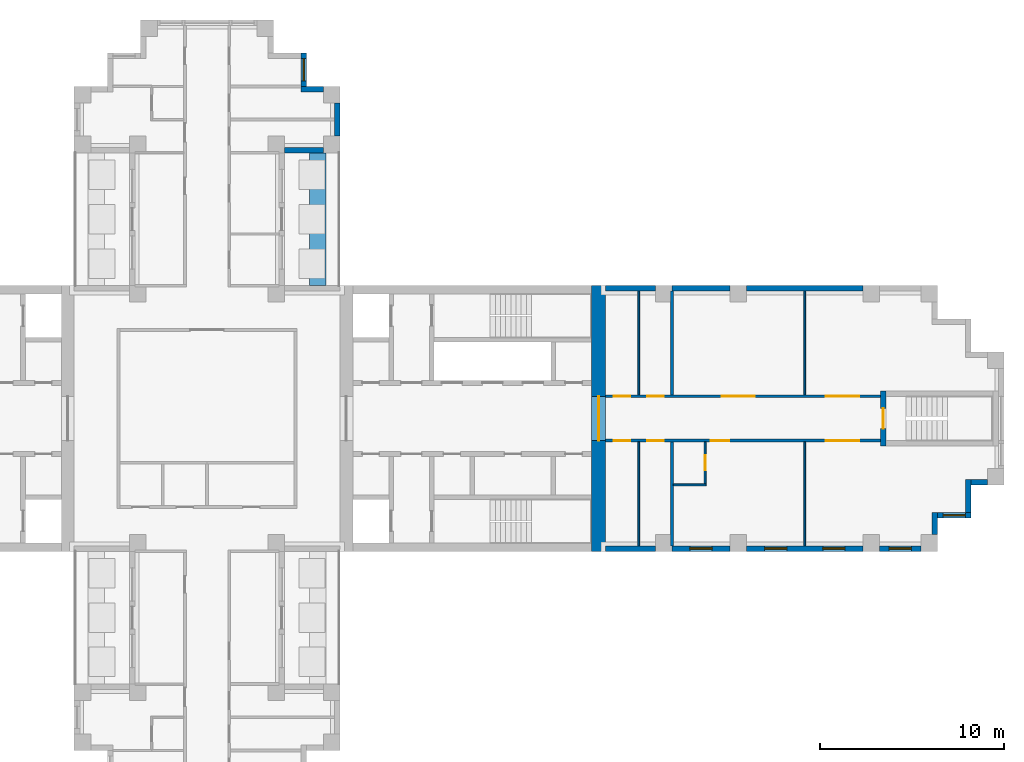
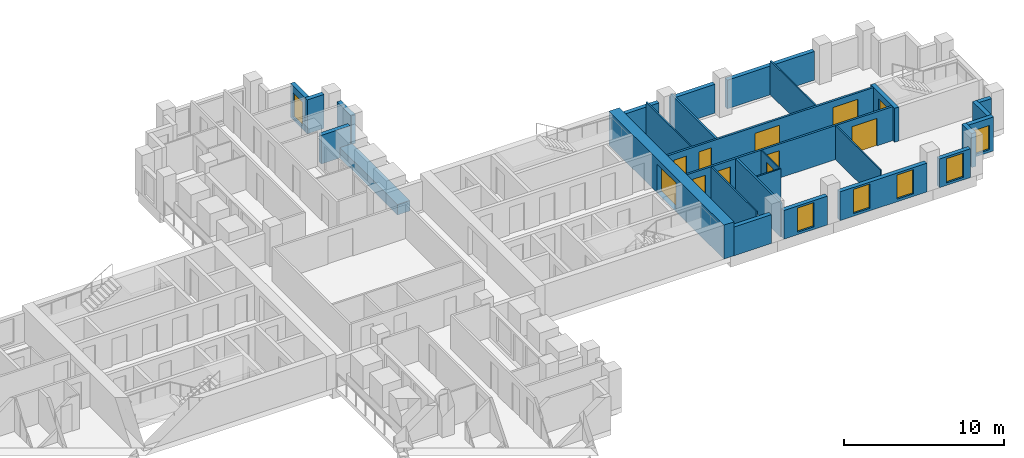
# One storey, part 8 of 11: 28 walls, 11 doors, 6 windows, 17 openings.
"""IFC4 building model written with IfcOpenShell, lengths in metres."""

from ifc_helpers import new_model, si_unit, direction, frame, frame_2d, origin, place, context, subcontext, project, spatial, rectangle, extrude, material, layer, layer_set, type_object, element, fill, save


model = new_model("IFC4")

# Units and contexts
model_context = context("Model", 3, precision=1e-05, world=origin(), true_north=direction((0.0, 1.0)))
body_context = subcontext(model_context, "Body", "Model", "MODEL_VIEW")
ifc_project = project(units=[si_unit("LENGTHUNIT", "METRE"), si_unit("AREAUNIT", "SQUARE_METRE"), si_unit("VOLUMEUNIT", "CUBIC_METRE"), si_unit("PLANEANGLEUNIT", "RADIAN"), si_unit("MASSUNIT", "GRAM", prefix="KILO")], contexts=[model_context])

# Site, building, storey
site_placement = place(None, origin())
site = spatial("IfcSite", under=ifc_project, at=site_placement, CompositionType="ELEMENT")
building_placement = place(site_placement, origin())
building = spatial("IfcBuilding", under=site, at=building_placement, Name="Fustian Cross Tower", CompositionType="ELEMENT")
storey_placement = place(building_placement, frame((0.0, 0.0, 123.300048828125)))
storey = spatial("IfcBuildingStorey", under=building, at=storey_placement, Name="L38", CompositionType="ELEMENT", Elevation=123.300048828125)

# Wall, openings, doors
ifc_material_1 = material(Name="Plasterboard on steel stud", Category="steel")
ifc_layer_1 = layer(ifc_material_1, 0.14990234375)
ifc_layer_set_1 = layer_set([ifc_layer_1], Name="Plasterboard on steel stud")
wall_type_1 = type_object("IfcWallType", Name="COMPARTMENT WALL 150 EI 60", PredefinedType="PARTITIONING", material=ifc_layer_set_1)
wall_1_placement = place(storey_placement, frame((21.60009765625, -1.199951171875, 0.0), z_axis=(0.0, 0.0, 1.0), x_axis=(1.0, 0.0, 0.0)))
wall_1 = element("IfcWall", 1, at=wall_1_placement, inside=storey, type_object=wall_type_1, Name="Partition 49", PredefinedType="PARTITIONING", context=body_context, shape_type="SweptSolid", body=[
    extrude(rectangle(XDim=14.89990234375, YDim=0.14990234375, at=frame_2d((7.449951171875, 0.0))), origin(), (0.0, 0.0, 1.0), 2.599853515625),
])
opening_1_placement = place(wall_1_placement, frame((0.449951171875, 0.0, 0.0)))
opening_1 = element("IfcOpeningElement", 2, at=opening_1_placement, cuts=wall_1, Name="Opening D18009", PredefinedType="OPENING", context=body_context, shape_type="SweptSolid", body=[
    extrude(rectangle(XDim=0.89990234375, YDim=2.10009765625, at=frame_2d((0.449951171875, 1.050048828125))), frame((0.0, 0.0849609375, 0.0), z_axis=(0.0, -1.0, 0.0), x_axis=(1.0, 0.0, 0.0)), (0.0, 0.0, 1.0), 0.169921875),
])
opening_2_placement = place(wall_1_placement, frame((2.25, 0.0, 0.0)))
opening_2 = element("IfcOpeningElement", 3, at=opening_2_placement, cuts=wall_1, Name="Opening D18010", PredefinedType="OPENING", context=body_context, shape_type="SweptSolid", body=[
    extrude(rectangle(XDim=0.89990234375, YDim=2.10009765625, at=frame_2d((0.449951171875, 1.050048828125))), frame((0.0, 0.0849609375, 0.0), z_axis=(0.0, -1.0, 0.0), x_axis=(1.0, 0.0, 0.0)), (0.0, 0.0, 1.0), 0.169921875),
])
opening_3_placement = place(wall_1_placement, frame((5.7099609375, 0.0, 0.0)))
opening_3 = element("IfcOpeningElement", 4, at=opening_3_placement, cuts=wall_1, Name="Opening D18012", PredefinedType="OPENING", context=body_context, shape_type="SweptSolid", body=[
    extrude(rectangle(XDim=1.0, YDim=2.10009765625, at=frame_2d((0.5, 1.050048828125))), frame((0.0, 0.0849609375, 0.0), z_axis=(0.0, -1.0, 0.0), x_axis=(1.0, 0.0, 0.0)), (0.0, 0.0, 1.0), 0.169921875),
])
opening_4_placement = place(wall_1_placement, frame((11.949951171875, 0.0, 0.0)))
opening_4 = element("IfcOpeningElement", 5, at=opening_4_placement, cuts=wall_1, Name="Opening D18013", PredefinedType="OPENING", context=body_context, shape_type="SweptSolid", body=[
    extrude(rectangle(XDim=1.800048828125, YDim=2.10009765625, at=frame_2d((0.89990234375, 1.050048828125))), frame((0.0, 0.0849609375, 0.0), z_axis=(0.0, -1.0, 0.0), x_axis=(1.0, 0.0, 0.0)), (0.0, 0.0, 1.0), 0.169921875),
])
ifc_material_2 = material(Name="Timber fire door set", Category="wood")
door_type_1 = type_object("IfcDoorType", Name="FIRE DOUBLE DOOR 1800 FD30S", OperationType="DOUBLE_DOOR_DOUBLE_SWING", PredefinedType="DOOR", material=ifc_material_2)
door_1_placement = place(opening_4_placement, origin())
door_1 = element("IfcDoor", 6, at=door_1_placement, inside=storey, type_object=door_type_1, Name="Door D18013", OperationType="DOUBLE_DOOR_DOUBLE_SWING", OverallHeight=2.10009765625, OverallWidth=1.800048828125, PredefinedType="DOOR", context=body_context, shape_type="SweptSolid", body=[
    extrude(rectangle(XDim=1.800048828125, YDim=2.10009765625, at=frame_2d((0.89990234375, 1.050048828125))), frame((0.0, 0.02490234375, 0.0), z_axis=(0.0, -1.0, 0.0), x_axis=(1.0, 0.0, 0.0)), (0.0, 0.0, 1.0), 0.050048828125),
])
fill(opening_4, door_1)
ifc_material_3 = material(Name="Timber fire door set", Category="wood")
door_type_2 = type_object("IfcDoorType", Name="FIRE SWING DOOR 1000 FD30S", OperationType="SINGLE_SWING_LEFT", PredefinedType="DOOR", material=ifc_material_3)
door_2_placement = place(opening_3_placement, frame((1.0, 0.0, 0.0), z_axis=(0.0, 0.0, 1.0), x_axis=(-1.0, 0.0, 0.0)))
door_2 = element("IfcDoor", 7, at=door_2_placement, inside=storey, type_object=door_type_2, Name="Door D18012", OperationType="SINGLE_SWING_RIGHT", OverallHeight=2.10009765625, OverallWidth=1.0, PredefinedType="DOOR", context=body_context, shape_type="SweptSolid", body=[
    extrude(rectangle(XDim=1.0, YDim=2.10009765625, at=frame_2d((0.5, 1.050048828125))), frame((0.0, 0.02490234375, 0.0), z_axis=(0.0, -1.0, 0.0), x_axis=(1.0, 0.0, 0.0)), (0.0, 0.0, 1.0), 0.050048828125),
])
fill(opening_3, door_2)
ifc_material_4 = material(Name="Timber fire door set", Category="wood")
door_type_3 = type_object("IfcDoorType", Name="FIRE SWING DOOR 900 FD30S", OperationType="SINGLE_SWING_LEFT", PredefinedType="DOOR", material=ifc_material_4)
door_3_placement = place(opening_1_placement, frame((0.89990234375, 0.0, 0.0), z_axis=(0.0, 0.0, 1.0), x_axis=(-1.0, 0.0, 0.0)))
door_3 = element("IfcDoor", 8, at=door_3_placement, inside=storey, type_object=door_type_3, Name="Door D18009", OperationType="SINGLE_SWING_LEFT", OverallHeight=2.10009765625, OverallWidth=0.89990234375, PredefinedType="DOOR", context=body_context, shape_type="SweptSolid", body=[
    extrude(rectangle(XDim=0.89990234375, YDim=2.10009765625, at=frame_2d((0.449951171875, 1.050048828125))), frame((0.0, 0.02490234375, 0.0), z_axis=(0.0, -1.0, 0.0), x_axis=(1.0, 0.0, 0.0)), (0.0, 0.0, 1.0), 0.050048828125),
])
fill(opening_1, door_3)
door_4_placement = place(opening_2_placement, frame((0.89990234375, 0.0, 0.0), z_axis=(0.0, 0.0, 1.0), x_axis=(-1.0, 0.0, 0.0)))
door_4 = element("IfcDoor", 9, at=door_4_placement, inside=storey, type_object=door_type_3, Name="Door D18010", OperationType="SINGLE_SWING_LEFT", OverallHeight=2.10009765625, OverallWidth=0.89990234375, PredefinedType="DOOR", context=body_context, shape_type="SweptSolid", body=[
    extrude(rectangle(XDim=0.89990234375, YDim=2.10009765625, at=frame_2d((0.449951171875, 1.050048828125))), frame((0.0, 0.02490234375, 0.0), z_axis=(0.0, -1.0, 0.0), x_axis=(1.0, 0.0, 0.0)), (0.0, 0.0, 1.0), 0.050048828125),
])
fill(opening_2, door_4)

wall_2_placement = place(storey_placement, frame((21.60009765625, 1.199951171875, 0.0), z_axis=(0.0, 0.0, 1.0), x_axis=(1.0, 0.0, 0.0)))
wall_2 = element("IfcWall", 10, at=wall_2_placement, inside=storey, type_object=wall_type_1, Name="Partition 50", PredefinedType="PARTITIONING", context=body_context, shape_type="SweptSolid", body=[
    extrude(rectangle(XDim=14.89990234375, YDim=0.14990234375, at=frame_2d((7.449951171875, 0.0))), origin(), (0.0, 0.0, 1.0), 2.599853515625),
])
opening_5_placement = place(wall_2_placement, frame((0.449951171875, 0.0, 0.0)))
opening_5 = element("IfcOpeningElement", 11, at=opening_5_placement, cuts=wall_2, Name="Opening D18005", PredefinedType="OPENING", context=body_context, shape_type="SweptSolid", body=[
    extrude(rectangle(XDim=0.89990234375, YDim=2.10009765625, at=frame_2d((0.449951171875, 1.050048828125))), frame((0.0, 0.0849609375, 0.0), z_axis=(0.0, -1.0, 0.0), x_axis=(1.0, 0.0, 0.0)), (0.0, 0.0, 1.0), 0.169921875),
])
opening_6_placement = place(wall_2_placement, frame((2.25, 0.0, 0.0)))
opening_6 = element("IfcOpeningElement", 12, at=opening_6_placement, cuts=wall_2, Name="Opening D18006", PredefinedType="OPENING", context=body_context, shape_type="SweptSolid", body=[
    extrude(rectangle(XDim=0.89990234375, YDim=2.10009765625, at=frame_2d((0.449951171875, 1.050048828125))), frame((0.0, 0.0849609375, 0.0), z_axis=(0.0, -1.0, 0.0), x_axis=(1.0, 0.0, 0.0)), (0.0, 0.0, 1.0), 0.169921875),
])
opening_7_placement = place(wall_2_placement, frame((6.300048828125, 0.0, 0.0)))
opening_7 = element("IfcOpeningElement", 13, at=opening_7_placement, cuts=wall_2, Name="Opening D18007", PredefinedType="OPENING", context=body_context, shape_type="SweptSolid", body=[
    extrude(rectangle(XDim=1.800048828125, YDim=2.10009765625, at=frame_2d((0.89990234375, 1.050048828125))), frame((0.0, 0.0849609375, 0.0), z_axis=(0.0, -1.0, 0.0), x_axis=(1.0, 0.0, 0.0)), (0.0, 0.0, 1.0), 0.169921875),
])
opening_8_placement = place(wall_2_placement, frame((11.949951171875, 0.0, 0.0)))
opening_8 = element("IfcOpeningElement", 14, at=opening_8_placement, cuts=wall_2, Name="Opening D18008", PredefinedType="OPENING", context=body_context, shape_type="SweptSolid", body=[
    extrude(rectangle(XDim=1.800048828125, YDim=2.10009765625, at=frame_2d((0.89990234375, 1.050048828125))), frame((0.0, 0.0849609375, 0.0), z_axis=(0.0, -1.0, 0.0), x_axis=(1.0, 0.0, 0.0)), (0.0, 0.0, 1.0), 0.169921875),
])
door_5_placement = place(opening_7_placement, frame((1.800048828125, 0.0, 0.0), z_axis=(0.0, 0.0, 1.0), x_axis=(-1.0, 0.0, 0.0)))
door_5 = element("IfcDoor", 15, at=door_5_placement, inside=storey, type_object=door_type_1, Name="Door D18007", OperationType="DOUBLE_DOOR_DOUBLE_SWING", OverallHeight=2.10009765625, OverallWidth=1.800048828125, PredefinedType="DOOR", context=body_context, shape_type="SweptSolid", body=[
    extrude(rectangle(XDim=1.800048828125, YDim=2.10009765625, at=frame_2d((0.89990234375, 1.050048828125))), frame((0.0, 0.02490234375, 0.0), z_axis=(0.0, -1.0, 0.0), x_axis=(1.0, 0.0, 0.0)), (0.0, 0.0, 1.0), 0.050048828125),
])
fill(opening_7, door_5)
door_6_placement = place(opening_8_placement, frame((1.800048828125, 0.0, 0.0), z_axis=(0.0, 0.0, 1.0), x_axis=(-1.0, 0.0, 0.0)))
door_6 = element("IfcDoor", 16, at=door_6_placement, inside=storey, type_object=door_type_1, Name="Door D18008", OperationType="DOUBLE_DOOR_DOUBLE_SWING", OverallHeight=2.10009765625, OverallWidth=1.800048828125, PredefinedType="DOOR", context=body_context, shape_type="SweptSolid", body=[
    extrude(rectangle(XDim=1.800048828125, YDim=2.10009765625, at=frame_2d((0.89990234375, 1.050048828125))), frame((0.0, 0.02490234375, 0.0), z_axis=(0.0, -1.0, 0.0), x_axis=(1.0, 0.0, 0.0)), (0.0, 0.0, 1.0), 0.050048828125),
])
fill(opening_8, door_6)
door_7_placement = place(opening_5_placement, origin())
door_7 = element("IfcDoor", 17, at=door_7_placement, inside=storey, type_object=door_type_3, Name="Door D18005", OperationType="SINGLE_SWING_RIGHT", OverallHeight=2.10009765625, OverallWidth=0.89990234375, PredefinedType="DOOR", context=body_context, shape_type="SweptSolid", body=[
    extrude(rectangle(XDim=0.89990234375, YDim=2.10009765625, at=frame_2d((0.449951171875, 1.050048828125))), frame((0.0, 0.02490234375, 0.0), z_axis=(0.0, -1.0, 0.0), x_axis=(1.0, 0.0, 0.0)), (0.0, 0.0, 1.0), 0.050048828125),
])
fill(opening_5, door_7)
door_8_placement = place(opening_6_placement, origin())
door_8 = element("IfcDoor", 18, at=door_8_placement, inside=storey, type_object=door_type_3, Name="Door D18006", OperationType="SINGLE_SWING_RIGHT", OverallHeight=2.10009765625, OverallWidth=0.89990234375, PredefinedType="DOOR", context=body_context, shape_type="SweptSolid", body=[
    extrude(rectangle(XDim=0.89990234375, YDim=2.10009765625, at=frame_2d((0.449951171875, 1.050048828125))), frame((0.0, 0.02490234375, 0.0), z_axis=(0.0, -1.0, 0.0), x_axis=(1.0, 0.0, 0.0)), (0.0, 0.0, 1.0), 0.050048828125),
])
fill(opening_6, door_8)

# Walls
for number, where, z_axis, x_axis, name in (
    (19, (25.199951171875, -6.89990234375, 0.0), (0.0, 0.0, 1.0), (0.0, 1.0, 0.0), "Partition 53"),
    (20, (25.199951171875, 1.27490234375, 0.0), (0.0, 0.0, 1.0), (0.0, 1.0, 0.0), "Partition 55"),
):
    element("IfcWall", number, at=place(storey_placement, frame(where, z_axis=z_axis, x_axis=x_axis)), inside=storey, type_object=wall_type_1, Name=name, PredefinedType="PARTITIONING", context=body_context, shape_type="SweptSolid", body=[
        extrude(rectangle(XDim=5.625, YDim=0.14990234375, at=frame_2d((2.8125, 0.0))), origin(), (0.0, 0.0, 1.0), 2.599853515625),
    ])

# Wall, opening, door
ifc_material_5 = material(Name="Concrete C60/75", Category="concrete")
ifc_layer_2 = layer(ifc_material_5, 0.75)
ifc_layer_set_2 = layer_set([ifc_layer_2], Name="Concrete C60/75")
wall_type_2 = type_object("IfcWallType", Name="CORE END WALL 750 C60/75", PredefinedType="SHEAR", material=ifc_layer_set_2)
wall_3_placement = place(storey_placement, frame((21.22509765625, -7.199951171875, 0.0), z_axis=(0.0, 0.0, 1.0), x_axis=(0.0, 1.0, 0.0)))
wall_3 = element("IfcWall", 21, at=wall_3_placement, inside=storey, type_object=wall_type_2, Name="Core end wall", PredefinedType="SHEAR", context=body_context, shape_type="SweptSolid", body=[
    extrude(rectangle(XDim=14.39990234375, YDim=0.75, at=frame_2d((7.199951171875, 0.0))), origin(), (0.0, 0.0, 1.0), 2.599853515625),
])
opening_9_placement = place(wall_3_placement, frame((6.0, 0.0, 0.0)))
opening_9 = element("IfcOpeningElement", 22, at=opening_9_placement, cuts=wall_3, Name="Opening CD-16-13", PredefinedType="OPENING", context=body_context, shape_type="SweptSolid", body=[
    extrude(rectangle(XDim=2.39990234375, YDim=2.199951171875, at=frame_2d((1.199951171875, 1.10009765625))), frame((0.0, 0.385009765625, 0.0), z_axis=(0.0, -1.0, 0.0), x_axis=(1.0, 0.0, 0.0)), (0.0, 0.0, 1.0), 0.77001953125),
])
ifc_material_6 = material(Name="Steel", Category="steel")
door_type_4 = type_object("IfcDoorType", Name="FIRE DOOR FD30S DOUBLE 2400X2200", OperationType="DOUBLE_DOOR_DOUBLE_SWING", PredefinedType="DOOR", material=ifc_material_6)
door_9_placement = place(opening_9_placement, origin())
door_9 = element("IfcDoor", 23, at=door_9_placement, inside=storey, type_object=door_type_4, Name="Core door CD-16-13", OperationType="DOUBLE_DOOR_DOUBLE_SWING", OverallHeight=2.199951171875, OverallWidth=2.39990234375, PredefinedType="DOOR", context=body_context, shape_type="SweptSolid", body=[
    extrude(rectangle(XDim=2.39990234375, YDim=2.199951171875, at=frame_2d((1.199951171875, 1.10009765625))), frame((0.0, 0.02490234375, 0.0), z_axis=(0.0, -1.0, 0.0), x_axis=(1.0, 0.0, 0.0)), (0.0, 0.0, 1.0), 0.050048828125),
])
fill(opening_9, door_9)

# Walls
ifc_material_7 = material(Name="Plasterboard on steel stud", Category="steel")
ifc_layer_3 = layer(ifc_material_7, 0.10009765625)
ifc_layer_set_3 = layer_set([ifc_layer_3], Name="Plasterboard on steel stud")
wall_type_3 = type_object("IfcWallType", Name="PARTITION 100 STUD", PredefinedType="PARTITIONING", material=ifc_layer_set_3)
for number, where, z_axis, x_axis, name in (
    (24, (23.39990234375, -6.89990234375, 0.0), (0.0, 0.0, 1.0), (0.0, 1.0, 0.0), "Partition 51"),
    (25, (23.39990234375, 1.27490234375, 0.0), (0.0, 0.0, 1.0), (0.0, 1.0, 0.0), "Partition 52"),
):
    element("IfcWall", number, at=place(storey_placement, frame(where, z_axis=z_axis, x_axis=x_axis)), inside=storey, type_object=wall_type_3, Name=name, PredefinedType="PARTITIONING", context=body_context, shape_type="SweptSolid", body=[
        extrude(rectangle(XDim=5.625, YDim=0.10009765625, at=frame_2d((2.8125, 0.0))), origin(), (0.0, 0.0, 1.0), 2.599853515625),
    ])
wall_4_placement = place(storey_placement, frame((25.27490234375, -3.60009765625, 0.0), z_axis=(0.0, 0.0, 1.0), x_axis=(1.0, 0.0, 0.0)))
element("IfcWall", 26, at=wall_4_placement, inside=storey, type_object=wall_type_3, Name="Partition 54", PredefinedType="PARTITIONING", context=body_context, shape_type="SweptSolid", body=[
    extrude(rectangle(XDim=1.775146484375, YDim=0.10009765625, at=frame_2d((0.8876953125, 0.0))), origin(), (0.0, 0.0, 1.0), 2.599853515625),
])

# Wall, opening, door
wall_5_placement = place(storey_placement, frame((27.0, -3.550048828125, 0.0), z_axis=(0.0, 0.0, 1.0), x_axis=(0.0, 1.0, 0.0)))
wall_5 = element("IfcWall", 27, at=wall_5_placement, inside=storey, type_object=wall_type_3, Name="Partition 56", PredefinedType="PARTITIONING", context=body_context, shape_type="SweptSolid", body=[
    extrude(rectangle(XDim=2.275146484375, YDim=0.10009765625, at=frame_2d((1.1376953125, 0.0))), origin(), (0.0, 0.0, 1.0), 2.599853515625),
])
opening_10_placement = place(wall_5_placement, frame((0.75, 0.0, 0.0)))
opening_10 = element("IfcOpeningElement", 28, at=opening_10_placement, cuts=wall_5, Name="Opening D18011", PredefinedType="OPENING", context=body_context, shape_type="SweptSolid", body=[
    extrude(rectangle(XDim=0.800048828125, YDim=2.10009765625, at=frame_2d((0.39990234375, 1.050048828125))), frame((0.0, 0.06005859375, 0.0), z_axis=(0.0, -1.0, 0.0), x_axis=(1.0, 0.0, 0.0)), (0.0, 0.0, 1.0), 0.1201171875),
])
ifc_material_8 = material(Name="Painted timber", Category="wood")
door_type_5 = type_object("IfcDoorType", Name="SWING DOOR 800", OperationType="SINGLE_SWING_LEFT", PredefinedType="DOOR", material=ifc_material_8)
door_10_placement = place(opening_10_placement, origin())
door_10 = element("IfcDoor", 29, at=door_10_placement, inside=storey, type_object=door_type_5, Name="Door D18011", OperationType="SINGLE_SWING_LEFT", OverallHeight=2.10009765625, OverallWidth=0.800048828125, PredefinedType="DOOR", context=body_context, shape_type="SweptSolid", body=[
    extrude(rectangle(XDim=0.800048828125, YDim=2.10009765625, at=frame_2d((0.39990234375, 1.050048828125))), frame((0.0, 0.02490234375, 0.0), z_axis=(0.0, -1.0, 0.0), x_axis=(1.0, 0.0, 0.0)), (0.0, 0.0, 1.0), 0.050048828125),
])
fill(opening_10, door_10)

# Walls
for number, where, z_axis, x_axis, name in (
    (30, (32.39990234375, -6.89990234375, 0.0), (0.0, 0.0, 1.0), (0.0, 1.0, 0.0), "Partition 57"),
    (31, (32.39990234375, 1.27490234375, 0.0), (0.0, 0.0, 1.0), (0.0, 1.0, 0.0), "Partition 58"),
):
    element("IfcWall", number, at=place(storey_placement, frame(where, z_axis=z_axis, x_axis=x_axis)), inside=storey, type_object=wall_type_3, Name=name, PredefinedType="PARTITIONING", context=body_context, shape_type="SweptSolid", body=[
        extrude(rectangle(XDim=5.625, YDim=0.10009765625, at=frame_2d((2.8125, 0.0))), origin(), (0.0, 0.0, 1.0), 2.599853515625),
    ])
ifc_material_9 = material(Name="Concrete C40/50", Category="concrete")
ifc_layer_4 = layer(ifc_material_9, 0.89990234375)
ifc_layer_set_4 = layer_set([ifc_layer_4], Name="Concrete C40/50")
wall_type_4 = type_object("IfcWallType", Name="PK1 PLANTER 900", PredefinedType="PARAPET", material=ifc_layer_set_4)
wall_6_placement = place(storey_placement, frame((6.0, 7.199951171875, 0.0), z_axis=(0.0, 0.0, 1.0), x_axis=(0.0, 1.0, 0.0)))
element("IfcWall", 32, at=wall_6_placement, inside=storey, type_object=wall_type_4, Name="PLANTER", PredefinedType="PARAPET", context=body_context, shape_type="SweptSolid", body=[
    extrude(rectangle(XDim=7.199951171875, YDim=0.89990234375, at=frame_2d((3.60009765625, 0.0))), origin(), (0.0, 0.0, 1.0), 0.800048828125),
])

# Wall, opening, door
ifc_material_10 = material(Name="Concrete C50/60", Category="concrete")
ifc_layer_5 = layer(ifc_material_10, 0.300048828125)
ifc_layer_set_5 = layer_set([ifc_layer_5], Name="Concrete C50/60")
wall_type_5 = type_object("IfcWallType", Name="STAIR ENCLOSURE WALL 300 C50/60", PredefinedType="SHEAR", material=ifc_layer_set_5)
wall_7_placement = place(storey_placement, frame((36.64990234375, -1.5, 0.0), z_axis=(0.0, 0.0, 1.0), x_axis=(0.0, 1.0, 0.0)))
wall_7 = element("IfcWall", 33, at=wall_7_placement, inside=storey, type_object=wall_type_5, Name="Stair enclosure wall", PredefinedType="SHEAR", context=body_context, shape_type="SweptSolid", body=[
    extrude(rectangle(XDim=3.0, YDim=0.300048828125, at=frame_2d((1.5, 0.0))), origin(), (0.0, 0.0, 1.0), 2.599853515625),
])
opening_11_placement = place(wall_7_placement, frame((0.949951171875, 0.0, 0.0)))
opening_11 = element("IfcOpeningElement", 34, at=opening_11_placement, cuts=wall_7, Name="Opening CD-16-35", PredefinedType="OPENING", context=body_context, shape_type="SweptSolid", body=[
    extrude(rectangle(XDim=1.10009765625, YDim=2.10009765625, at=frame_2d((0.550048828125, 1.050048828125))), frame((0.0, 0.159912109375, 0.0), z_axis=(0.0, -1.0, 0.0), x_axis=(1.0, 0.0, 0.0)), (0.0, 0.0, 1.0), 0.320068359375),
])
ifc_material_11 = material(Name="Steel", Category="steel")
door_type_6 = type_object("IfcDoorType", Name="FIRE DOOR FD60S 1100X2100", OperationType="SINGLE_SWING_LEFT", PredefinedType="DOOR", material=ifc_material_11)
door_11_placement = place(opening_11_placement, frame((1.10009765625, 0.0, 0.0), z_axis=(0.0, 0.0, 1.0), x_axis=(-1.0, 0.0, 0.0)))
door_11 = element("IfcDoor", 35, at=door_11_placement, inside=storey, type_object=door_type_6, Name="Core door CD-16-35", OperationType="SINGLE_SWING_RIGHT", OverallHeight=2.10009765625, OverallWidth=1.10009765625, PredefinedType="DOOR", context=body_context, shape_type="SweptSolid", body=[
    extrude(rectangle(XDim=1.10009765625, YDim=2.10009765625, at=frame_2d((0.550048828125, 1.050048828125))), frame((0.0, 0.02490234375, 0.0), z_axis=(0.0, -1.0, 0.0), x_axis=(1.0, 0.0, 0.0)), (0.0, 0.0, 1.0), 0.050048828125),
])
fill(opening_11, door_11)

# Wall
ifc_material_12 = material(Name="Dark aluminium cladding on insulated backing wall", Category="aluminium")
ifc_layer_6 = layer(ifc_material_12, 0.300048828125)
ifc_layer_set_6 = layer_set([ifc_layer_6], Name="Dark aluminium cladding on insulated backing wall")
wall_type_6 = type_object("IfcWallType", Name="XW1 EXTERNAL WALL 300", PredefinedType="SOLIDWALL", material=ifc_layer_set_6)
wall_8_placement = place(storey_placement, frame((21.60009765625, -7.050048828125, 0.0), z_axis=(0.0, 0.0, 1.0), x_axis=(1.0, 0.0, 0.0)))
element("IfcWall", 36, at=wall_8_placement, inside=storey, type_object=wall_type_6, Name="External wall", PredefinedType="SOLIDWALL", context=body_context, shape_type="SweptSolid", body=[
    extrude(rectangle(XDim=2.699951171875, YDim=0.300048828125, at=frame_2d((1.35009765625, 0.0))), origin(), (0.0, 0.0, 1.0), 2.199951171875),
])

# Wall, opening, window
wall_9_placement = place(storey_placement, frame((25.199951171875, -7.050048828125, 0.0), z_axis=(0.0, 0.0, 1.0), x_axis=(1.0, 0.0, 0.0)))
wall_9 = element("IfcWall", 37, at=wall_9_placement, inside=storey, type_object=wall_type_6, Name="External wall", PredefinedType="SOLIDWALL", context=body_context, shape_type="SweptSolid", body=[
    extrude(rectangle(XDim=3.150146484375, YDim=0.300048828125, at=frame_2d((1.5751953125, 0.0))), origin(), (0.0, 0.0, 1.0), 2.199951171875),
])
opening_12_placement = place(wall_9_placement, frame((0.97509765625, 0.0, 0.199951171875)))
opening_12 = element("IfcOpeningElement", 38, at=opening_12_placement, cuts=wall_9, Name="Opening WN3", PredefinedType="OPENING", context=body_context, shape_type="SweptSolid", body=[
    extrude(rectangle(XDim=1.199951171875, YDim=1.85009765625, at=frame_2d((0.60009765625, 0.925048828125))), frame((0.0, 0.159912109375, 0.0), z_axis=(0.0, -1.0, 0.0), x_axis=(1.0, 0.0, 0.0)), (0.0, 0.0, 1.0), 0.320068359375),
])
ifc_material_13 = material(Name="Dark anodised aluminium and double glazing", Category="aluminium")
window_type = type_object("IfcWindowType", Name="WN3 WINDOW 1200X1850", PartitioningType="SINGLE_PANEL", PredefinedType="WINDOW", material=ifc_material_13)
window_1_placement = place(opening_12_placement, origin())
window_1 = element("IfcWindow", 39, at=window_1_placement, inside=storey, type_object=window_type, Name="Window", OverallHeight=1.85009765625, OverallWidth=1.199951171875, PartitioningType="SINGLE_PANEL", PredefinedType="WINDOW", context=body_context, shape_type="SweptSolid", body=[
    extrude(rectangle(XDim=1.199951171875, YDim=1.85009765625, at=frame_2d((0.60009765625, 0.925048828125))), frame((0.0, 0.030029296875, 0.0), z_axis=(0.0, -1.0, 0.0), x_axis=(1.0, 0.0, 0.0)), (0.0, 0.0, 1.0), 0.06005859375),
])
fill(opening_12, window_1)

# Wall, openings, windows
wall_10_placement = place(storey_placement, frame((29.25, -7.050048828125, 0.0), z_axis=(0.0, 0.0, 1.0), x_axis=(1.0, 0.0, 0.0)))
wall_10 = element("IfcWall", 40, at=wall_10_placement, inside=storey, type_object=wall_type_6, Name="External wall", PredefinedType="SOLIDWALL", context=body_context, shape_type="SweptSolid", body=[
    extrude(rectangle(XDim=6.300048828125, YDim=0.300048828125, at=frame_2d((3.14990234375, 0.0))), origin(), (0.0, 0.0, 1.0), 2.199951171875),
])
opening_13_placement = place(wall_10_placement, frame((0.97509765625, 0.0, 0.199951171875)))
opening_13 = element("IfcOpeningElement", 41, at=opening_13_placement, cuts=wall_10, Name="Opening WN3", PredefinedType="OPENING", context=body_context, shape_type="SweptSolid", body=[
    extrude(rectangle(XDim=1.199951171875, YDim=1.85009765625, at=frame_2d((0.60009765625, 0.925048828125))), frame((0.0, 0.159912109375, 0.0), z_axis=(0.0, -1.0, 0.0), x_axis=(1.0, 0.0, 0.0)), (0.0, 0.0, 1.0), 0.320068359375),
])
opening_14_placement = place(wall_10_placement, frame((4.125, 0.0, 0.199951171875)))
opening_14 = element("IfcOpeningElement", 42, at=opening_14_placement, cuts=wall_10, Name="Opening WN3", PredefinedType="OPENING", context=body_context, shape_type="SweptSolid", body=[
    extrude(rectangle(XDim=1.199951171875, YDim=1.85009765625, at=frame_2d((0.60009765625, 0.925048828125))), frame((0.0, 0.159912109375, 0.0), z_axis=(0.0, -1.0, 0.0), x_axis=(1.0, 0.0, 0.0)), (0.0, 0.0, 1.0), 0.320068359375),
])
window_2_placement = place(opening_13_placement, origin())
window_2 = element("IfcWindow", 43, at=window_2_placement, inside=storey, type_object=window_type, Name="Window", OverallHeight=1.85009765625, OverallWidth=1.199951171875, PartitioningType="SINGLE_PANEL", PredefinedType="WINDOW", context=body_context, shape_type="SweptSolid", body=[
    extrude(rectangle(XDim=1.199951171875, YDim=1.85009765625, at=frame_2d((0.60009765625, 0.925048828125))), frame((0.0, 0.030029296875, 0.0), z_axis=(0.0, -1.0, 0.0), x_axis=(1.0, 0.0, 0.0)), (0.0, 0.0, 1.0), 0.06005859375),
])
fill(opening_13, window_2)
window_3_placement = place(opening_14_placement, origin())
window_3 = element("IfcWindow", 44, at=window_3_placement, inside=storey, type_object=window_type, Name="Window", OverallHeight=1.85009765625, OverallWidth=1.199951171875, PartitioningType="SINGLE_PANEL", PredefinedType="WINDOW", context=body_context, shape_type="SweptSolid", body=[
    extrude(rectangle(XDim=1.199951171875, YDim=1.85009765625, at=frame_2d((0.60009765625, 0.925048828125))), frame((0.0, 0.030029296875, 0.0), z_axis=(0.0, -1.0, 0.0), x_axis=(1.0, 0.0, 0.0)), (0.0, 0.0, 1.0), 0.06005859375),
])
fill(opening_14, window_3)

# Wall, opening, window
wall_11_placement = place(storey_placement, frame((36.449951171875, -7.050048828125, 0.0), z_axis=(0.0, 0.0, 1.0), x_axis=(1.0, 0.0, 0.0)))
wall_11 = element("IfcWall", 45, at=wall_11_placement, inside=storey, type_object=wall_type_6, Name="External wall", PredefinedType="SOLIDWALL", context=body_context, shape_type="SweptSolid", body=[
    extrude(rectangle(XDim=2.25, YDim=0.300048828125, at=frame_2d((1.125, 0.0))), origin(), (0.0, 0.0, 1.0), 2.199951171875),
])
opening_15_placement = place(wall_11_placement, frame((0.52490234375, 0.0, 0.199951171875)))
opening_15 = element("IfcOpeningElement", 46, at=opening_15_placement, cuts=wall_11, Name="Opening WN3", PredefinedType="OPENING", context=body_context, shape_type="SweptSolid", body=[
    extrude(rectangle(XDim=1.199951171875, YDim=1.85009765625, at=frame_2d((0.60009765625, 0.925048828125))), frame((0.0, 0.159912109375, 0.0), z_axis=(0.0, -1.0, 0.0), x_axis=(1.0, 0.0, 0.0)), (0.0, 0.0, 1.0), 0.320068359375),
])
window_4_placement = place(opening_15_placement, origin())
window_4 = element("IfcWindow", 47, at=window_4_placement, inside=storey, type_object=window_type, Name="Window", OverallHeight=1.85009765625, OverallWidth=1.199951171875, PartitioningType="SINGLE_PANEL", PredefinedType="WINDOW", context=body_context, shape_type="SweptSolid", body=[
    extrude(rectangle(XDim=1.199951171875, YDim=1.85009765625, at=frame_2d((0.60009765625, 0.925048828125))), frame((0.0, 0.030029296875, 0.0), z_axis=(0.0, -1.0, 0.0), x_axis=(1.0, 0.0, 0.0)), (0.0, 0.0, 1.0), 0.06005859375),
])
fill(opening_15, window_4)

# Wall
wall_12_placement = place(storey_placement, frame((39.449951171875, -6.300048828125, 0.0), z_axis=(0.0, 0.0, 1.0), x_axis=(0.0, 1.0, 0.0)))
element("IfcWall", 48, at=wall_12_placement, inside=storey, type_object=wall_type_6, Name="External wall", PredefinedType="SOLIDWALL", context=body_context, shape_type="SweptSolid", body=[
    extrude(rectangle(XDim=1.199951171875, YDim=0.300048828125, at=frame_2d((0.60009765625, 0.0))), origin(), (0.0, 0.0, 1.0), 2.599853515625),
])

# Wall, opening, window
wall_13_placement = place(storey_placement, frame((39.60009765625, -5.25, 0.0), z_axis=(0.0, 0.0, 1.0), x_axis=(1.0, 0.0, 0.0)))
wall_13 = element("IfcWall", 49, at=wall_13_placement, inside=storey, type_object=wall_type_6, Name="External wall", PredefinedType="SOLIDWALL", context=body_context, shape_type="SweptSolid", body=[
    extrude(rectangle(XDim=1.7998046875, YDim=0.300048828125, at=frame_2d((0.89990234375, 0.0))), origin(), (0.0, 0.0, 1.0), 2.599853515625),
])
opening_16_placement = place(wall_13_placement, frame((0.300048828125, 0.0, 0.199951171875)))
opening_16 = element("IfcOpeningElement", 50, at=opening_16_placement, cuts=wall_13, Name="Opening WN3", PredefinedType="OPENING", context=body_context, shape_type="SweptSolid", body=[
    extrude(rectangle(XDim=1.199951171875, YDim=1.85009765625, at=frame_2d((0.60009765625, 0.925048828125))), frame((0.0, 0.159912109375, 0.0), z_axis=(0.0, -1.0, 0.0), x_axis=(1.0, 0.0, 0.0)), (0.0, 0.0, 1.0), 0.320068359375),
])
window_5_placement = place(opening_16_placement, origin())
window_5 = element("IfcWindow", 51, at=window_5_placement, inside=storey, type_object=window_type, Name="Window", OverallHeight=1.85009765625, OverallWidth=1.199951171875, PartitioningType="SINGLE_PANEL", PredefinedType="WINDOW", context=body_context, shape_type="SweptSolid", body=[
    extrude(rectangle(XDim=1.199951171875, YDim=1.85009765625, at=frame_2d((0.60009765625, 0.925048828125))), frame((0.0, 0.030029296875, 0.0), z_axis=(0.0, -1.0, 0.0), x_axis=(1.0, 0.0, 0.0)), (0.0, 0.0, 1.0), 0.06005859375),
])
fill(opening_16, window_5)

# Walls
wall_14_placement = place(storey_placement, frame((41.25, -5.10009765625, 0.0), z_axis=(0.0, 0.0, 1.0), x_axis=(0.0, 1.0, 0.0)))
element("IfcWall", 52, at=wall_14_placement, inside=storey, type_object=wall_type_6, Name="External wall", PredefinedType="SOLIDWALL", context=body_context, shape_type="SweptSolid", body=[
    extrude(rectangle(XDim=1.800048828125, YDim=0.300048828125, at=frame_2d((0.89990234375, 0.0))), origin(), (0.0, 0.0, 1.0), 2.599853515625),
])
wall_15_placement = place(storey_placement, frame((41.39990234375, -3.449951171875, 0.0), z_axis=(0.0, 0.0, 1.0), x_axis=(1.0, 0.0, 0.0)))
element("IfcWall", 53, at=wall_15_placement, inside=storey, type_object=wall_type_6, Name="External wall", PredefinedType="SOLIDWALL", context=body_context, shape_type="SweptSolid", body=[
    extrude(rectangle(XDim=0.900146484375, YDim=0.300048828125, at=frame_2d((0.4501953125, 0.0))), origin(), (0.0, 0.0, 1.0), 2.599853515625),
])
wall_16_placement = place(storey_placement, frame((35.550048828125, 7.050048828125, 0.0), z_axis=(0.0, 0.0, 1.0), x_axis=(-1.0, 0.0, 0.0)))
element("IfcWall", 54, at=wall_16_placement, inside=storey, type_object=wall_type_6, Name="External wall", PredefinedType="SOLIDWALL", context=body_context, shape_type="SweptSolid", body=[
    extrude(rectangle(XDim=6.300048828125, YDim=0.300048828125, at=frame_2d((3.14990234375, 0.0))), origin(), (0.0, 0.0, 1.0), 2.199951171875),
])
wall_17_placement = place(storey_placement, frame((28.35009765625, 7.050048828125, 0.0), z_axis=(0.0, 0.0, 1.0), x_axis=(-1.0, 0.0, 0.0)))
element("IfcWall", 55, at=wall_17_placement, inside=storey, type_object=wall_type_6, Name="External wall", PredefinedType="SOLIDWALL", context=body_context, shape_type="SweptSolid", body=[
    extrude(rectangle(XDim=3.150146484375, YDim=0.300048828125, at=frame_2d((1.5751953125, 0.0))), origin(), (0.0, 0.0, 1.0), 2.199951171875),
])
wall_18_placement = place(storey_placement, frame((24.300048828125, 7.050048828125, 0.0), z_axis=(0.0, 0.0, 1.0), x_axis=(-1.0, 0.0, 0.0)))
element("IfcWall", 56, at=wall_18_placement, inside=storey, type_object=wall_type_6, Name="External wall", PredefinedType="SOLIDWALL", context=body_context, shape_type="SweptSolid", body=[
    extrude(rectangle(XDim=2.699951171875, YDim=0.300048828125, at=frame_2d((1.35009765625, 0.0))), origin(), (0.0, 0.0, 1.0), 2.199951171875),
])
wall_19_placement = place(storey_placement, frame((4.199951171875, 14.550048828125, 0.0), z_axis=(0.0, 0.0, 1.0), x_axis=(1.0, 0.0, 0.0)))
element("IfcWall", 57, at=wall_19_placement, inside=storey, type_object=wall_type_6, Name="External wall", PredefinedType="SOLIDWALL", context=body_context, shape_type="SweptSolid", body=[
    extrude(rectangle(XDim=2.10009765625, YDim=0.300048828125, at=frame_2d((1.050048828125, 0.0))), origin(), (0.0, 0.0, 1.0), 2.199951171875),
])
wall_20_placement = place(storey_placement, frame((7.050048828125, 15.300048828125, 0.0), z_axis=(0.0, 0.0, 1.0), x_axis=(0.0, 1.0, 0.0)))
element("IfcWall", 58, at=wall_20_placement, inside=storey, type_object=wall_type_6, Name="External wall", PredefinedType="SOLIDWALL", context=body_context, shape_type="SweptSolid", body=[
    extrude(rectangle(XDim=1.800048828125, YDim=0.300048828125, at=frame_2d((0.89990234375, 0.0))), origin(), (0.0, 0.0, 1.0), 2.199951171875),
])
wall_21_placement = place(storey_placement, frame((6.300048828125, 17.85009765625, 0.0), z_axis=(0.0, 0.0, 1.0), x_axis=(-1.0, 0.0, 0.0)))
element("IfcWall", 59, at=wall_21_placement, inside=storey, type_object=wall_type_6, Name="External wall", PredefinedType="SOLIDWALL", context=body_context, shape_type="SweptSolid", body=[
    extrude(rectangle(XDim=1.199951171875, YDim=0.300048828125, at=frame_2d((0.60009765625, 0.0))), origin(), (0.0, 0.0, 1.0), 2.599853515625),
])

# Wall, opening, window
wall_22_placement = place(storey_placement, frame((5.25, 18.0, 0.0), z_axis=(0.0, 0.0, 1.0), x_axis=(0.0, 1.0, 0.0)))
wall_22 = element("IfcWall", 60, at=wall_22_placement, inside=storey, type_object=wall_type_6, Name="External wall", PredefinedType="SOLIDWALL", context=body_context, shape_type="SweptSolid", body=[
    extrude(rectangle(XDim=1.800048828125, YDim=0.300048828125, at=frame_2d((0.89990234375, 0.0))), origin(), (0.0, 0.0, 1.0), 2.599853515625),
])
opening_17_placement = place(wall_22_placement, frame((0.300048828125, 0.0, 0.199951171875)))
opening_17 = element("IfcOpeningElement", 61, at=opening_17_placement, cuts=wall_22, Name="Opening WN3", PredefinedType="OPENING", context=body_context, shape_type="SweptSolid", body=[
    extrude(rectangle(XDim=1.199951171875, YDim=1.85009765625, at=frame_2d((0.60009765625, 0.925048828125))), frame((0.0, 0.159912109375, 0.0), z_axis=(0.0, -1.0, 0.0), x_axis=(1.0, 0.0, 0.0)), (0.0, 0.0, 1.0), 0.320068359375),
])
window_6_placement = place(opening_17_placement, origin())
window_6 = element("IfcWindow", 62, at=window_6_placement, inside=storey, type_object=window_type, Name="Window", OverallHeight=1.85009765625, OverallWidth=1.199951171875, PartitioningType="SINGLE_PANEL", PredefinedType="WINDOW", context=body_context, shape_type="SweptSolid", body=[
    extrude(rectangle(XDim=1.199951171875, YDim=1.85009765625, at=frame_2d((0.60009765625, 0.925048828125))), frame((0.0, 0.030029296875, 0.0), z_axis=(0.0, -1.0, 0.0), x_axis=(1.0, 0.0, 0.0)), (0.0, 0.0, 1.0), 0.06005859375),
])
fill(opening_17, window_6)

save(model, "model.ifc")
